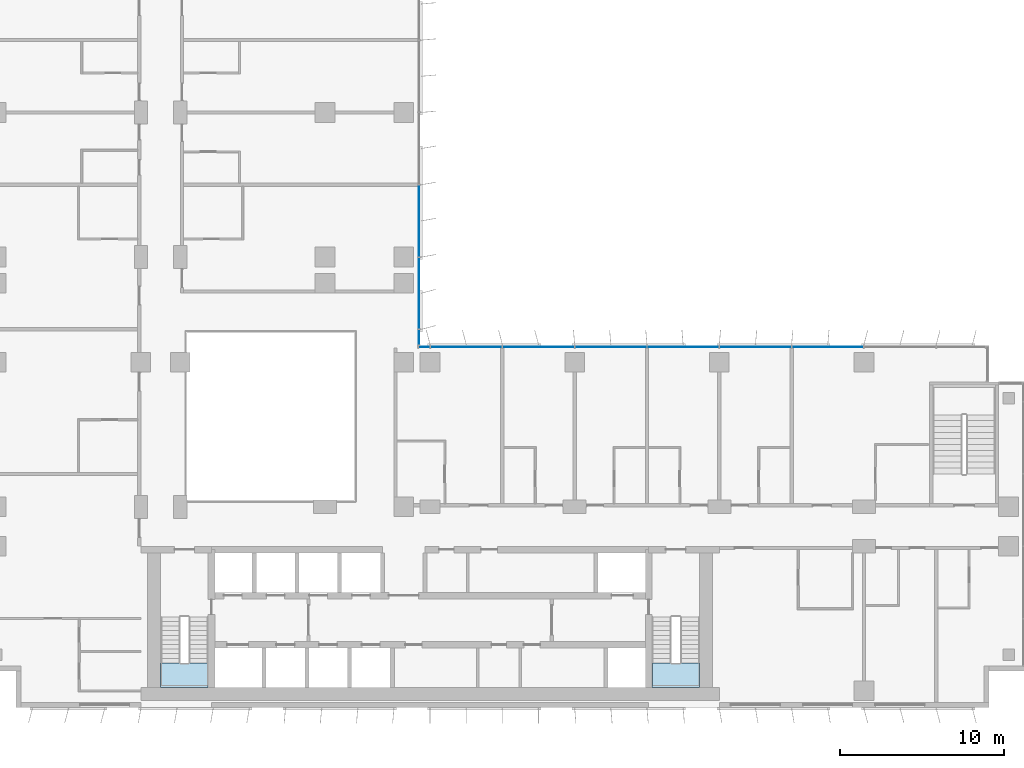
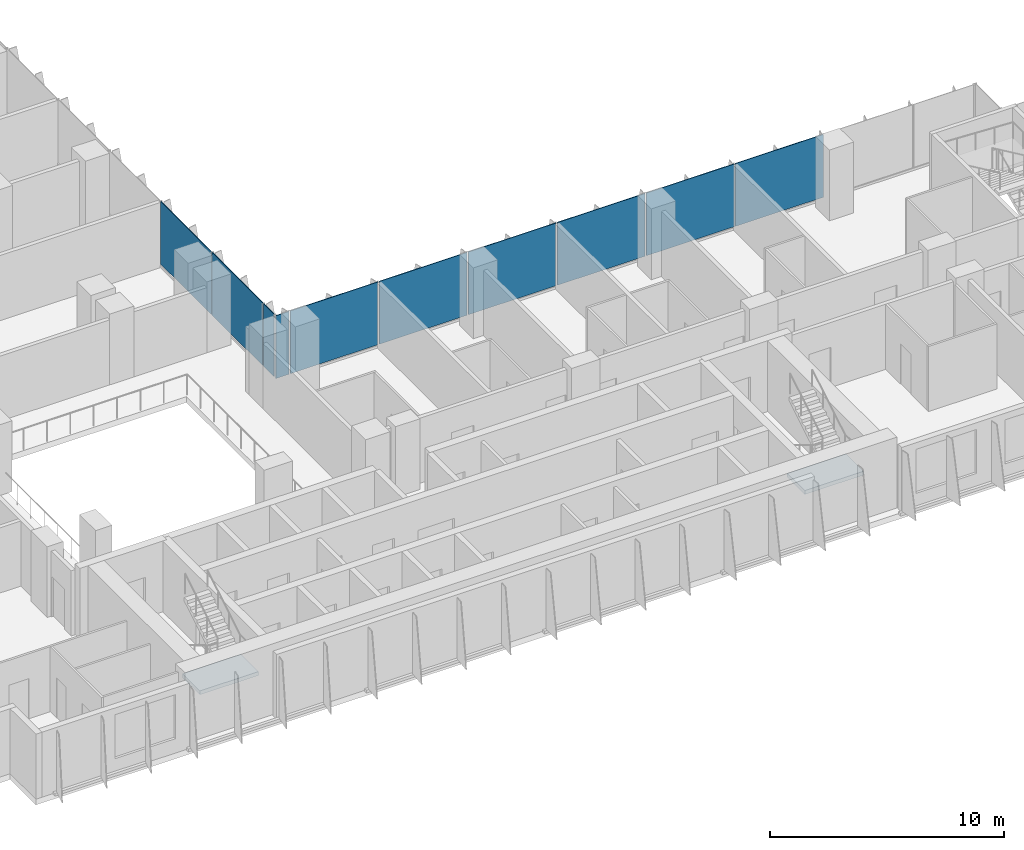
# One storey, part 10 of 23: 10 plates, 2 slabs, 4 elements without a shape of their own.
"""IFC4 building model written with IfcOpenShell, lengths in metres."""

import ifcopenshell
import ifcopenshell.guid

model = None  # the IFC model being written
_history = None  # IfcOwnerHistory: only IFC2X3 demands one
_inside = {}  # id of a spatial element -> (the spatial element, [elements in it])
_under = {}  # id of a project, library or spatial element -> (it, [spatial elements below it])
_declared = {}  # id of a project -> (the project, [libraries it declares])
_typed = {}  # id of a type object -> (the type object, [elements of that type])
_made_of = {}  # id of a material, layer set ... -> (it, [elements and type objects made of it])


def new_model(schema):
    """Start an empty IFC model of exactly this schema.

    Asked for "IFC4X3", IfcOpenShell would pick the latest addendum, in which some entities
    have other attributes; the version numbers below select the first issue.
    IFC2X3 requires an IfcOwnerHistory on every rooted entity: one is made here for all.
    """
    global model, _history
    if schema == "IFC4X3":
        model = ifcopenshell.file(schema_version=(4, 3, 0, 0))
    else:
        model = ifcopenshell.file(schema=schema)
    _inside.clear()
    _under.clear()
    _declared.clear()
    _typed.clear()
    _made_of.clear()
    _history = None
    if model.schema == "IFC2X3":
        org = make("IfcOrganization", Name="unknown")
        user = make(
            "IfcPersonAndOrganization",
            ThePerson=make("IfcPerson", FamilyName="unknown"),
            TheOrganization=org,
        )
        app = make(
            "IfcApplication",
            ApplicationDeveloper=org,
            Version="unknown",
            ApplicationFullName="unknown",
            ApplicationIdentifier="unknown",
        )
        _history = make(
            "IfcOwnerHistory",
            OwningUser=user,
            OwningApplication=app,
            ChangeAction="ADDED",
            CreationDate=0,
        )
    return model


def make(cls, **values):
    """One entity of the class cls with the attributes given. An attribute that is None is left unset."""
    return model.create_entity(
        cls, **{name: value for name, value in values.items() if value is not None}
    )


def rooted(cls, **values):
    """An entity with a GlobalId (a new one), such as an element, a storey or a relation."""
    return make(cls, GlobalId=ifcopenshell.guid.new(), OwnerHistory=_history, **values)


def si_unit(unit_type, name, prefix=None):
    """IfcSIUnit, for example si_unit("LENGTHUNIT", "METRE", prefix="MILLI")."""
    return make("IfcSIUnit", UnitType=unit_type, Prefix=prefix, Name=name)


def assignment(units):
    """IfcUnitAssignment: the units of a project."""
    return None if units is None else make("IfcUnitAssignment", Units=units)


def point(xyz):
    """IfcCartesianPoint."""
    return None if xyz is None else make("IfcCartesianPoint", Coordinates=xyz)


def direction(xyz):
    """IfcDirection."""
    return None if xyz is None else make("IfcDirection", DirectionRatios=xyz)


def frame(location, z_axis=None, x_axis=None):
    """IfcAxis2Placement3D, a coordinate frame: its origin and axes. An axis left out is left unset."""
    return make(
        "IfcAxis2Placement3D",
        Location=point(location),
        Axis=direction(z_axis),
        RefDirection=direction(x_axis),
    )


def frame_2d(location, x_axis=None):
    """IfcAxis2Placement2D, a coordinate frame in the plane: its origin and x axis."""
    return make(
        "IfcAxis2Placement2D", Location=point(location), RefDirection=direction(x_axis)
    )


def origin():
    """The frame at (0, 0, 0) with its axes left unset."""
    return frame((0.0, 0.0, 0.0))


def origin_2d():
    """The frame at (0, 0) in the plane with its x axis left unset."""
    return frame_2d((0.0, 0.0))


def place(relative_to, where):
    """IfcLocalPlacement: puts the frame where relative to a parent placement (None: the world)."""
    return make(
        "IfcLocalPlacement", PlacementRelTo=relative_to, RelativePlacement=where
    )


def context(
    kind, dimensions, precision=None, world=None, true_north=None, identifier=None
):
    """IfcGeometricRepresentationContext, for example the 3D "Model" context."""
    return make(
        "IfcGeometricRepresentationContext",
        ContextIdentifier=identifier,
        ContextType=kind,
        CoordinateSpaceDimension=dimensions,
        Precision=precision,
        WorldCoordinateSystem=world,
        TrueNorth=true_north,
    )


def subcontext(parent, identifier, kind, view, scale=None):
    """IfcGeometricRepresentationSubContext, for example "Body" below "Model"."""
    return make(
        "IfcGeometricRepresentationSubContext",
        ContextIdentifier=identifier,
        ContextType=kind,
        ParentContext=parent,
        TargetScale=scale,
        TargetView=view,
    )


def project(units=None, contexts=None):
    """IfcProject with its units and contexts."""
    return rooted(
        "IfcProject",
        Name="project",
        RepresentationContexts=contexts,
        UnitsInContext=assignment(units),
    )


def spatial(cls, under=None, at=None, **own):
    """A site, building, storey or space (cls), placed at a placement, below another one or the project."""
    s = rooted(cls, ObjectPlacement=at, **own)
    if under is not None:
        _under.setdefault(under.id(), (under, []))[1].append(s)
    return s


def polyline(points):
    """IfcPolyline through the points."""
    return make("IfcPolyline", Points=[point(p) for p in points])


def profile(cls, at=None, kind="AREA", **sizes):
    """A parametric profile (cls). Its sizes go by their IFC names, for example OverallWidth=200.0."""
    return make(cls, ProfileType=kind, Position=at, **sizes)


def rectangle(**sizes):
    """IfcRectangleProfileDef."""
    return profile("IfcRectangleProfileDef", **sizes)


def outline(outer, holes=None, kind="AREA"):
    """IfcArbitraryClosedProfileDef: a profile drawn as a closed curve; with holes, ...WithVoids."""
    if holes is None:
        return make("IfcArbitraryClosedProfileDef", ProfileType=kind, OuterCurve=outer)
    return make(
        "IfcArbitraryProfileDefWithVoids",
        ProfileType=kind,
        OuterCurve=outer,
        InnerCurves=holes,
    )


def extrude(swept, where, along, depth):
    """IfcExtrudedAreaSolid: the profile swept, set in the frame where, extruded along a direction by depth."""
    return make(
        "IfcExtrudedAreaSolid",
        SweptArea=swept,
        Position=where,
        ExtrudedDirection=direction(along),
        Depth=depth,
    )


def shape(context_of_items, identifier, shape_type, items):
    """IfcShapeRepresentation: the items that make up one representation, for example the "Body"."""
    return make(
        "IfcShapeRepresentation",
        ContextOfItems=context_of_items,
        RepresentationIdentifier=identifier,
        RepresentationType=shape_type,
        Items=items,
    )


def source(mapping_origin, context_of_items, identifier, shape_type, items):
    """IfcRepresentationMap: a shape defined once, which mapped items show again and again."""
    return make(
        "IfcRepresentationMap",
        MappingOrigin=mapping_origin,
        MappedRepresentation=shape(context_of_items, identifier, shape_type, items),
    )


def transform(
    local_origin,
    x_axis=None,
    y_axis=None,
    z_axis=None,
    scale=None,
    scale2=None,
    scale3=None,
    uniform=True,
):
    """IfcCartesianTransformationOperator3D, or its non-uniform kind. x_axis, y_axis, z_axis: its Axis1, 2, 3."""
    if uniform:
        return make(
            "IfcCartesianTransformationOperator3D",
            Axis1=direction(x_axis),
            Axis2=direction(y_axis),
            LocalOrigin=point(local_origin),
            Scale=scale,
            Axis3=direction(z_axis),
        )
    return make(
        "IfcCartesianTransformationOperator3DnonUniform",
        Axis1=direction(x_axis),
        Axis2=direction(y_axis),
        LocalOrigin=point(local_origin),
        Scale=scale,
        Axis3=direction(z_axis),
        Scale2=scale2,
        Scale3=scale3,
    )


def mapped(mapping_source, mapping_target):
    """IfcMappedItem: shows the shape of a source again, moved by a transform."""
    return make(
        "IfcMappedItem", MappingSource=mapping_source, MappingTarget=mapping_target
    )


def material(Name=None, Category=None):
    """IfcMaterial."""
    return make("IfcMaterial", Name=Name, Category=Category)


def layer(
    of_material, thickness, ventilated=None, Name=None, Category=None, Priority=None
):
    """IfcMaterialLayer: one layer of a wall or slab, of a material (None: an air gap)."""
    return make(
        "IfcMaterialLayer",
        Material=of_material,
        LayerThickness=thickness,
        IsVentilated=ventilated,
        Name=Name,
        Category=Category,
        Priority=Priority,
    )


def layer_set(layers, Name=None):
    """IfcMaterialLayerSet."""
    return make("IfcMaterialLayerSet", MaterialLayers=layers, LayerSetName=Name)


def made_of(thing, what):
    """Note that an element or type object is made of a material, layer set ...; save() writes the relation."""
    if what is not None:
        _made_of.setdefault(what.id(), (what, []))[1].append(thing)
    return thing


def type_object(cls, material=None, **own):
    """A type object (cls), such as IfcWallType, which elements share."""
    return made_of(rooted(cls, **own), material)


def element(
    cls,
    number,
    at=None,
    inside=None,
    cuts=None,
    type_object=None,
    material=None,
    context=None,
    identifier="Body",
    shape_type=None,
    held_by="IfcProductDefinitionShape",
    body=None,
    shapes=None,
    **own,
):
    """One element of the class cls, such as IfcWall. Its Tag is "e" and its number.

    at: its placement. inside: the storey or other place that contains it. cuts: it is an
    opening in that element (IfcRelVoidsElement). A single representation is given by context,
    identifier, shape_type and body (its items); several are given by shapes. held_by: the class
    of the entity that holds the representations. save() writes the other relations.
    """
    e = rooted(cls, Tag="e%d" % number, ObjectPlacement=at, **own)
    if body is not None:
        shapes = [shape(context, identifier, shape_type, body)]
    if shapes is not None:
        e.Representation = make(held_by, Representations=shapes)
    if inside is not None:
        _inside.setdefault(inside.id(), (inside, []))[1].append(e)
    if cuts is not None:
        rooted(
            "IfcRelVoidsElement", RelatingBuildingElement=cuts, RelatedOpeningElement=e
        )
    if type_object is not None:
        _typed.setdefault(type_object.id(), (type_object, []))[1].append(e)
    return made_of(e, material)


def aggregate(whole, parts):
    """IfcRelAggregates: a whole, such as a stair, and the parts it consists of."""
    return rooted("IfcRelAggregates", RelatingObject=whole, RelatedObjects=parts)


def save(model, path):
    """Write the relations noted so far, then the file.

    IfcRelAggregates (storeys below a building ...), IfcRelContainedInSpatialStructure (elements
    in a storey), IfcRelDefinesByType, IfcRelAssociatesMaterial and IfcRelDeclares: one each for
    every whole, place, type object, material and project.
    """
    for whole, parts in _under.values():
        aggregate(whole, parts)
    for where, things in _inside.values():
        rooted(
            "IfcRelContainedInSpatialStructure",
            RelatedElements=things,
            RelatingStructure=where,
        )
    for kind, things in _typed.values():
        rooted("IfcRelDefinesByType", RelatedObjects=things, RelatingType=kind)
    for what, things in _made_of.values():
        rooted("IfcRelAssociatesMaterial", RelatedObjects=things, RelatingMaterial=what)
    for by, libraries in _declared.values():
        rooted("IfcRelDeclares", RelatingContext=by, RelatedDefinitions=libraries)
    model.write(path)


model = new_model("IFC4")

# Units and contexts
model_context = context("Model", 3, precision=1e-05, world=origin(), true_north=direction((0.0, 1.0)))
body_context = subcontext(model_context, "Body", "Model", "MODEL_VIEW")
ifc_project = project(units=[si_unit("LENGTHUNIT", "METRE"), si_unit("AREAUNIT", "SQUARE_METRE"), si_unit("VOLUMEUNIT", "CUBIC_METRE"), si_unit("PLANEANGLEUNIT", "RADIAN"), si_unit("MASSUNIT", "GRAM", prefix="KILO")], contexts=[model_context])

# Site, building, storey
site_placement = place(None, origin())
site = spatial("IfcSite", under=ifc_project, at=site_placement, CompositionType="ELEMENT")
building_placement = place(site_placement, origin())
building = spatial("IfcBuilding", under=site, at=building_placement, Name="Kemantara Hotel Tower", CompositionType="ELEMENT")
storey_placement = place(building_placement, frame((0.0, 0.0, 142.0)))
storey = spatial("IfcBuildingStorey", under=building, at=storey_placement, Name="L34", CompositionType="ELEMENT", Elevation=142.0)

# Stair, slab
ifc_material_1 = material(Name="Concrete fc 40 MPa", Category="concrete")
stair_type = type_object("IfcStairType", Name="Stair 1200 wide 22 risers of 168 x 280 mm", PredefinedType="HALF_TURN_STAIR", material=ifc_material_1)
stair_1_placement = place(storey_placement, origin())
stair_1 = element("IfcStair", 1, at=stair_1_placement, inside=storey, type_object=stair_type, Name="L34 Exit stair ST1", PredefinedType="HALF_TURN_STAIR")
ifc_layer_1 = layer(ifc_material_1, 0.199951171875)
ifc_layer_set_1 = layer_set([ifc_layer_1], Name="Concrete fc 40 MPa")
slab_type = type_object("IfcSlabType", Name="Stair landing 200 mm", PredefinedType="LANDING", material=ifc_layer_set_1)
slab_1_placement = place(storey_placement, frame((0.0, 0.0, 1.64990234375)))
slab_1 = element("IfcSlab", 2, at=slab_1_placement, type_object=slab_type, Name="ST1 landing 1", PredefinedType="LANDING", context=body_context, shape_type="SweptSolid", body=[
    extrude(outline(polyline([(11.0, 2.699951171875), (11.0, 1.199951171875), (13.89990234375, 1.199951171875), (13.89990234375, 2.699951171875), (11.0, 2.699951171875)])), origin(), (0.0, 0.0, 1.0), 0.2001953125),
])
aggregate(stair_1, [slab_1])

stair_2_placement = place(storey_placement, origin())
stair_2 = element("IfcStair", 3, at=stair_2_placement, inside=storey, type_object=stair_type, Name="L34 Exit stair ST2", PredefinedType="HALF_TURN_STAIR")
slab_2_placement = place(storey_placement, frame((0.0, 0.0, 1.64990234375)))
slab_2 = element("IfcSlab", 4, at=slab_2_placement, type_object=slab_type, Name="ST2 landing 1", PredefinedType="LANDING", context=body_context, shape_type="SweptSolid", body=[
    extrude(outline(polyline([(40.89990234375, 2.699951171875), (40.89990234375, 1.199951171875), (43.800048828125, 1.199951171875), (43.800048828125, 2.699951171875), (40.89990234375, 2.699951171875)])), origin(), (0.0, 0.0, 1.0), 0.2001953125),
])
aggregate(stair_2, [slab_2])

# Curtain wall, plates
ifc_material_2 = material(Name="Low-E tinted double insulated glass 36 mm", Category="glass")
curtain_wall_type = type_object("IfcCurtainWallType", Name="TOWER CURTAIN WALL, FRONT FACES", PredefinedType="USERDEFINED", material=ifc_material_2)
curtain_wall_1_placement = place(storey_placement, origin())
curtain_wall_1 = element("IfcCurtainWall", 5, at=curtain_wall_1_placement, inside=storey, type_object=curtain_wall_type, Name="CW4 L34 T2-R13-1", ObjectType="TOWER CURTAIN WALL, FRONT FACES", PredefinedType="USERDEFINED")
ifc_layer_2 = layer(ifc_material_2, 0.035888671875)
ifc_layer_set_2 = layer_set([ifc_layer_2], Name="Low-E tinted double insulated glass 36 mm")
plate_type = type_object("IfcPlateType", Name="TOWER CURTAIN WALL, FRONT FACES PANEL", PredefinedType="CURTAIN_PANEL", material=ifc_layer_set_2)
shared_shape_1 = source(origin(), body_context, "Body", "SweptSolid", [
    extrude(rectangle(XDim=4.340087890625, YDim=0.035888671875, at=origin_2d()), origin(), (0.0, 0.0, 1.0), 3.280029296875),
])
plate_1_placement = place(storey_placement, frame((51.60009765625, 21.925048828125, 0.1201171875), z_axis=(0.0, 0.0, 1.0), x_axis=(-1.0, 0.0, 0.0)))
plate_1 = element("IfcPlate", 6, at=plate_1_placement, type_object=plate_type, Name="CW4 glass panel T2-R13-1.3", PredefinedType="CURTAIN_PANEL", context=body_context, shape_type="MappedRepresentation", body=[
    mapped(shared_shape_1, transform((0.0, 0.0, 0.0))),
])
plate_2_placement = place(storey_placement, frame((47.199951171875, 21.925048828125, 0.1201171875), z_axis=(0.0, 0.0, 1.0), x_axis=(-1.0, 0.0, 0.0)))
plate_2 = element("IfcPlate", 7, at=plate_2_placement, type_object=plate_type, Name="CW4 glass panel T2-R13-1.4", PredefinedType="CURTAIN_PANEL", context=body_context, shape_type="MappedRepresentation", body=[
    mapped(shared_shape_1, transform((0.0, 0.0, 0.0))),
])
plate_3_placement = place(storey_placement, frame((42.800048828125, 21.925048828125, 0.1201171875), z_axis=(0.0, 0.0, 1.0), x_axis=(-1.0, 0.0, 0.0)))
plate_3 = element("IfcPlate", 8, at=plate_3_placement, type_object=plate_type, Name="CW4 glass panel T2-R13-1.5", PredefinedType="CURTAIN_PANEL", context=body_context, shape_type="MappedRepresentation", body=[
    mapped(shared_shape_1, transform((0.0, 0.0, 0.0))),
])
plate_4_placement = place(storey_placement, frame((38.39990234375, 21.925048828125, 0.1201171875), z_axis=(0.0, 0.0, 1.0), x_axis=(-1.0, 0.0, 0.0)))
plate_4 = element("IfcPlate", 9, at=plate_4_placement, type_object=plate_type, Name="CW4 glass panel T2-R13-1.6", PredefinedType="CURTAIN_PANEL", context=body_context, shape_type="MappedRepresentation", body=[
    mapped(shared_shape_1, transform((0.0, 0.0, 0.0))),
])
plate_5_placement = place(storey_placement, frame((34.0, 21.925048828125, 0.1201171875), z_axis=(0.0, 0.0, 1.0), x_axis=(-1.0, 0.0, 0.0)))
plate_5 = element("IfcPlate", 10, at=plate_5_placement, type_object=plate_type, Name="CW4 glass panel T2-R13-1.7", PredefinedType="CURTAIN_PANEL", context=body_context, shape_type="MappedRepresentation", body=[
    mapped(shared_shape_1, transform((0.0, 0.0, 0.0))),
])
plate_6_placement = place(storey_placement, frame((29.60009765625, 21.925048828125, 0.1201171875), z_axis=(0.0, 0.0, 1.0), x_axis=(-1.0, 0.0, 0.0)))
plate_6 = element("IfcPlate", 11, at=plate_6_placement, type_object=plate_type, Name="CW4 glass panel T2-R13-1.8", PredefinedType="CURTAIN_PANEL", context=body_context, shape_type="MappedRepresentation", body=[
    mapped(shared_shape_1, transform((0.0, 0.0, 0.0))),
])

curtain_wall_2_placement = place(storey_placement, origin())
curtain_wall_2 = element("IfcCurtainWall", 12, at=curtain_wall_2_placement, inside=storey, type_object=curtain_wall_type, Name="CW4 L34 T2-R14-1", ObjectType="TOWER CURTAIN WALL, FRONT FACES", PredefinedType="USERDEFINED")
plate_7_placement = place(storey_placement, frame((26.72509765625, 25.199951171875, 0.1201171875), z_axis=(0.0, 0.0, 1.0), x_axis=(0.0, 1.0, 0.0)))
plate_7 = element("IfcPlate", 13, at=plate_7_placement, type_object=plate_type, Name="CW4 glass panel T2-R14-1.2", PredefinedType="CURTAIN_PANEL", context=body_context, shape_type="MappedRepresentation", body=[
    mapped(shared_shape_1, transform((0.0, 0.0, 0.0))),
])
plate_8_placement = place(storey_placement, frame((26.72509765625, 29.60009765625, 0.1201171875), z_axis=(0.0, 0.0, 1.0), x_axis=(0.0, 1.0, 0.0)))
plate_8 = element("IfcPlate", 14, at=plate_8_placement, type_object=plate_type, Name="CW4 glass panel T2-R14-1.3", PredefinedType="CURTAIN_PANEL", context=body_context, shape_type="MappedRepresentation", body=[
    mapped(shared_shape_1, transform((0.0, 0.0, 0.0))),
])

# Plate
shared_shape_2 = source(origin(), body_context, "Body", "SweptSolid", [
    extrude(rectangle(XDim=0.659912109375, YDim=0.035888671875, at=origin_2d()), origin(), (0.0, 0.0, 1.0), 3.280029296875),
])
plate_9_placement = place(storey_placement, frame((27.0400390625, 21.925048828125, 0.1201171875), z_axis=(0.0, 0.0, 1.0), x_axis=(-1.0, 0.0, 0.0)))
plate_9 = element("IfcPlate", 15, at=plate_9_placement, type_object=plate_type, Name="CW4 glass panel T2-R13-1.9", PredefinedType="CURTAIN_PANEL", context=body_context, shape_type="MappedRepresentation", body=[
    mapped(shared_shape_2, transform((0.0, 0.0, 0.0))),
])

aggregate(curtain_wall_1, [plate_1, plate_2, plate_3, plate_4, plate_5, plate_6, plate_9])

shared_shape_3 = source(origin(), body_context, "Body", "SweptSolid", [
    extrude(rectangle(XDim=0.909912109375, YDim=0.035888671875, at=origin_2d()), origin(), (0.0, 0.0, 1.0), 3.280029296875),
])
plate_10_placement = place(storey_placement, frame((26.72509765625, 22.514892578125, 0.1201171875), z_axis=(0.0, 0.0, 1.0), x_axis=(0.0, 1.0, 0.0)))
plate_10 = element("IfcPlate", 16, at=plate_10_placement, type_object=plate_type, Name="CW4 glass panel T2-R14-1.1", PredefinedType="CURTAIN_PANEL", context=body_context, shape_type="MappedRepresentation", body=[
    mapped(shared_shape_3, transform((0.0, 0.0, 0.0))),
])

aggregate(curtain_wall_2, [plate_10, plate_7, plate_8])

save(model, "model.ifc")
